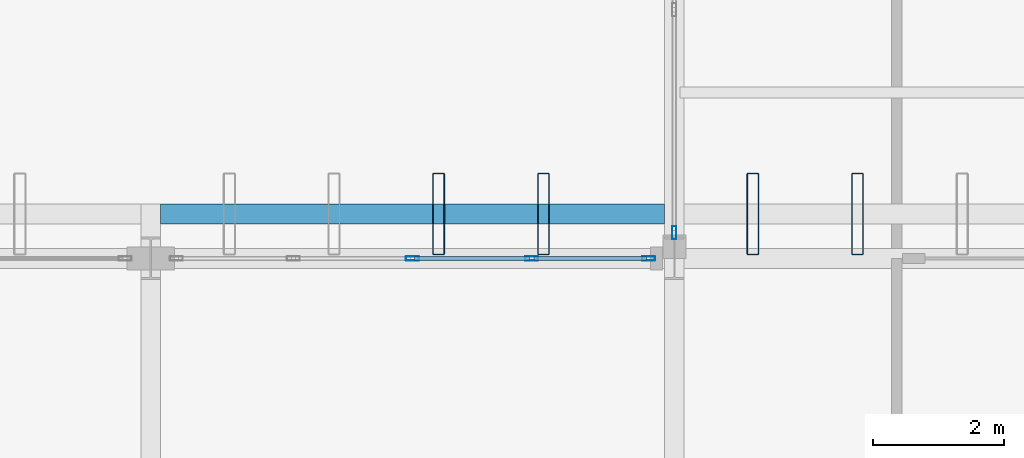
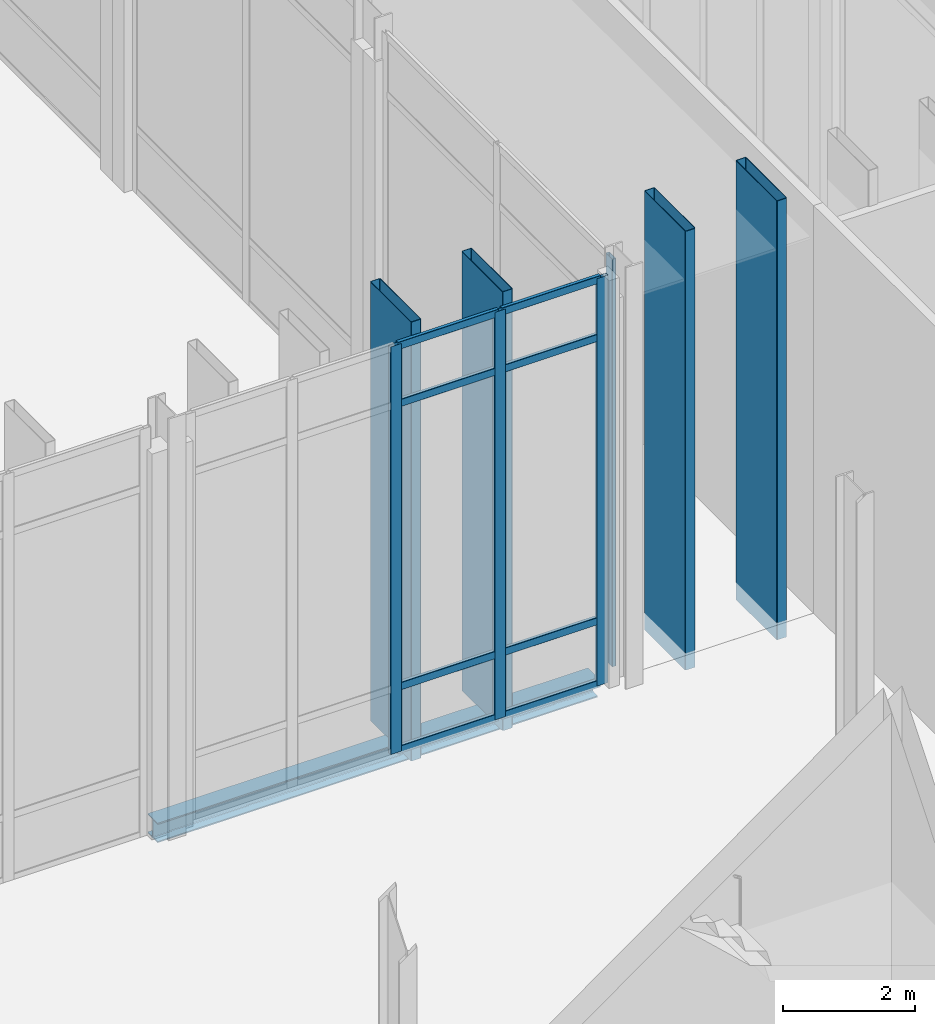
# One storey, part 63 of 176: 16 members, 1 beam, 2 elements without a shape of their own.
"""IFC4 building model written with IfcOpenShell, lengths in metres."""

from ifc_helpers import new_model, si_unit, direction, frame, origin, origin_2d, place, context, subcontext, project, spatial, hollow_rectangle, i_section, extrude, material, layer, layer_set, material_profile, profile_set, type_object, element, aggregate, save


model = new_model("IFC4")

# Units and contexts
model_context = context("Model", 3, precision=1e-05, world=origin(), true_north=direction((0.0, 1.0)))
body_context = subcontext(model_context, "Body", "Model", "MODEL_VIEW")
ifc_project = project(units=[si_unit("LENGTHUNIT", "METRE"), si_unit("AREAUNIT", "SQUARE_METRE"), si_unit("VOLUMEUNIT", "CUBIC_METRE"), si_unit("PLANEANGLEUNIT", "RADIAN"), si_unit("MASSUNIT", "GRAM", prefix="KILO")], contexts=[model_context])

# Site, building, storey
site_placement = place(None, origin())
site = spatial("IfcSite", under=ifc_project, at=site_placement, CompositionType="ELEMENT")
building_placement = place(site_placement, origin())
building = spatial("IfcBuilding", under=site, at=building_placement, Name="Vekula Escarpment Museum", CompositionType="ELEMENT")
storey_placement = place(building_placement, origin())
storey = spatial("IfcBuildingStorey", under=building, at=storey_placement, Name="L01", CompositionType="ELEMENT", Elevation=0.0)

# Beam
ifc_material_1 = material(Name="Steel S355", Category="steel")
ifc_material_profile_1 = material_profile(ifc_material_1, i_section(OverallWidth=0.300048828125, OverallDepth=0.360107421875, WebThickness=0.012451171875, FlangeThickness=0.0224609375, FilletRadius=0.027099609375, at=origin_2d()), Name="HEB 360")
ifc_profile_set_1 = profile_set([ifc_material_profile_1], Name="Steel S355")
beam_type = type_object("IfcBeamType", Name="BM-GIRD-HEB360", PredefinedType="BEAM", material=ifc_profile_set_1)
beam_placement = place(storey_placement, frame((86.14990234375, 91.080078125, -0.47998046875), z_axis=(1.0, 0.0, 0.0), x_axis=(0.0, 1.0, 0.0)))
element("IfcBeam", 1, at=beam_placement, inside=storey, type_object=beam_type, Name="Solar Fin Sill Girder 012", PredefinedType="BEAM", context=body_context, shape_type="SweptSolid", body=[
    extrude(i_section(OverallWidth=0.300048828125, OverallDepth=0.360107421875, WebThickness=0.012451171875, FlangeThickness=0.0224609375, FilletRadius=0.027099609375, at=origin_2d()), origin(), (0.0, 0.0, 1.0), 7.7001953125),
])

# Curtain wall, member
ifc_material_2 = material(Name="Aluminium thermally broken framing", Category="aluminium")
ifc_layer_1 = layer(ifc_material_2, 0.179931640625)
ifc_layer_set_1 = layer_set([ifc_layer_1], Name="Aluminium thermally broken framing")
curtain_wall_type_1 = type_object("IfcCurtainWallType", Name="CW-SYS-08", PredefinedType="NOTDEFINED", material=ifc_layer_set_1)
curtain_wall_1_placement = place(storey_placement, origin())
curtain_wall_1 = element("IfcCurtainWall", 2, at=curtain_wall_1_placement, inside=storey, type_object=curtain_wall_type_1, Name="Curtain Wall CW-L01-038", PredefinedType="NOTDEFINED")
ifc_material_3 = material(Name="Aluminium anodized mullion", Category="aluminium")
ifc_material_profile_2 = material_profile(ifc_material_3, hollow_rectangle(XDim=0.06494140625, YDim=0.199951171875, WallThickness=0.00390625, InnerFilletRadius=0.00390625, OuterFilletRadius=0.008056640625, at=origin_2d()), Name="ALU 200x65x4")
ifc_profile_set_2 = profile_set([ifc_material_profile_2], Name="Aluminium anodized mullion")
member_type_1 = type_object("IfcMemberType", Name="CW-MUL-200", PredefinedType="MULLION", material=ifc_profile_set_2)
member_1_placement = place(storey_placement, frame((94.0, 90.79248046875, 0.0), z_axis=(0.0, 0.0, 1.0), x_axis=(1.0, 0.0, 0.0)))
member_1 = element("IfcMember", 3, at=member_1_placement, type_object=member_type_1, Name="CW-08 mullion 3", PredefinedType="MULLION", context=body_context, shape_type="SweptSolid", body=[
    extrude(hollow_rectangle(XDim=0.06494140625, YDim=0.199951171875, WallThickness=0.00390625, InnerFilletRadius=0.00390625, OuterFilletRadius=0.008056640625, at=origin_2d()), origin(), (0.0, 0.0, 1.0), 7.5400390625),
])
aggregate(curtain_wall_1, [member_1])

# Curtain wall, members
ifc_material_4 = material(Name="Aluminium thermally broken framing", Category="aluminium")
ifc_layer_2 = layer(ifc_material_4, 0.14990234375)
ifc_layer_set_2 = layer_set([ifc_layer_2], Name="Aluminium thermally broken framing")
curtain_wall_type_2 = type_object("IfcCurtainWallType", Name="CW-SYS-09", PredefinedType="NOTDEFINED", material=ifc_layer_set_2)
curtain_wall_2_placement = place(storey_placement, origin())
curtain_wall_2 = element("IfcCurtainWall", 4, at=curtain_wall_2_placement, inside=storey, type_object=curtain_wall_type_2, Name="Curtain Wall CW-L01-039", PredefinedType="NOTDEFINED")
member_2_placement = place(storey_placement, frame((93.607421875, 90.39990234375, 0.0), z_axis=(0.0, 0.0, 1.0), x_axis=(0.0, -1.0, 0.0)))
member_2 = element("IfcMember", 5, at=member_2_placement, type_object=member_type_1, Name="CW-09 mullion 1", PredefinedType="MULLION", context=body_context, shape_type="SweptSolid", body=[
    extrude(hollow_rectangle(XDim=0.06494140625, YDim=0.199951171875, WallThickness=0.00390625, InnerFilletRadius=0.00390625, OuterFilletRadius=0.008056640625, at=origin_2d()), origin(), (0.0, 0.0, 1.0), 7.5400390625),
])
member_3_placement = place(storey_placement, frame((91.820068359375, 90.39990234375, 0.0), z_axis=(0.0, 0.0, 1.0), x_axis=(0.0, -1.0, 0.0)))
member_3 = element("IfcMember", 6, at=member_3_placement, type_object=member_type_1, Name="CW-09 mullion 2", PredefinedType="MULLION", context=body_context, shape_type="SweptSolid", body=[
    extrude(hollow_rectangle(XDim=0.06494140625, YDim=0.199951171875, WallThickness=0.00390625, InnerFilletRadius=0.00390625, OuterFilletRadius=0.008056640625, at=origin_2d()), origin(), (0.0, 0.0, 1.0), 7.5400390625),
])
member_4_placement = place(storey_placement, frame((90.0, 90.39990234375, 0.0), z_axis=(0.0, 0.0, 1.0), x_axis=(0.0, -1.0, 0.0)))
member_4 = element("IfcMember", 7, at=member_4_placement, type_object=member_type_1, Name="CW-09 mullion 3", PredefinedType="MULLION", context=body_context, shape_type="SweptSolid", body=[
    extrude(hollow_rectangle(XDim=0.06494140625, YDim=0.199951171875, WallThickness=0.00390625, InnerFilletRadius=0.00390625, OuterFilletRadius=0.008056640625, at=origin_2d()), origin(), (0.0, 0.0, 1.0), 7.5400390625),
])
ifc_material_5 = material(Name="Aluminium anodized transom", Category="aluminium")
ifc_material_profile_3 = material_profile(ifc_material_5, hollow_rectangle(XDim=0.06494140625, YDim=0.139892578125, WallThickness=0.00390625, InnerFilletRadius=0.00390625, OuterFilletRadius=0.008056640625, at=origin_2d()), Name="ALU 140x65x4")
ifc_profile_set_3 = profile_set([ifc_material_profile_3], Name="Aluminium anodized transom")
member_type_2 = type_object("IfcMemberType", Name="CW-TRN-140", PredefinedType="USERDEFINED", material=ifc_profile_set_3)
member_5_placement = place(storey_placement, frame((93.574951171875, 90.39990234375, 0.032470703125), z_axis=(-1.0, 0.0, 0.0), x_axis=(0.0, -1.0, 0.0)))
member_5 = element("IfcMember", 8, at=member_5_placement, type_object=member_type_2, Name="CW-09 transom 1.1", ObjectType="TRANSOM", PredefinedType="USERDEFINED", context=body_context, shape_type="SweptSolid", body=[
    extrude(hollow_rectangle(XDim=0.06494140625, YDim=0.139892578125, WallThickness=0.00390625, InnerFilletRadius=0.00390625, OuterFilletRadius=0.008056640625, at=origin_2d()), origin(), (0.0, 0.0, 1.0), 1.722412109375),
])
member_6_placement = place(storey_placement, frame((93.574951171875, 90.39990234375, 1.199951171875), z_axis=(-1.0, 0.0, 0.0), x_axis=(0.0, -1.0, 0.0)))
member_6 = element("IfcMember", 9, at=member_6_placement, type_object=member_type_2, Name="CW-09 transom 1.2", ObjectType="TRANSOM", PredefinedType="USERDEFINED", context=body_context, shape_type="SweptSolid", body=[
    extrude(hollow_rectangle(XDim=0.06494140625, YDim=0.139892578125, WallThickness=0.00390625, InnerFilletRadius=0.00390625, OuterFilletRadius=0.008056640625, at=origin_2d()), origin(), (0.0, 0.0, 1.0), 1.722412109375),
])
member_7_placement = place(storey_placement, frame((93.574951171875, 90.39990234375, 6.43994140625), z_axis=(-1.0, 0.0, 0.0), x_axis=(0.0, -1.0, 0.0)))
member_7 = element("IfcMember", 10, at=member_7_placement, type_object=member_type_2, Name="CW-09 transom 1.3", ObjectType="TRANSOM", PredefinedType="USERDEFINED", context=body_context, shape_type="SweptSolid", body=[
    extrude(hollow_rectangle(XDim=0.06494140625, YDim=0.139892578125, WallThickness=0.00390625, InnerFilletRadius=0.00390625, OuterFilletRadius=0.008056640625, at=origin_2d()), origin(), (0.0, 0.0, 1.0), 1.722412109375),
])
member_8_placement = place(storey_placement, frame((93.574951171875, 90.39990234375, 7.507568359375), z_axis=(-1.0, 0.0, 0.0), x_axis=(0.0, -1.0, 0.0)))
member_8 = element("IfcMember", 11, at=member_8_placement, type_object=member_type_2, Name="CW-09 transom 1.4", ObjectType="TRANSOM", PredefinedType="USERDEFINED", context=body_context, shape_type="SweptSolid", body=[
    extrude(hollow_rectangle(XDim=0.06494140625, YDim=0.139892578125, WallThickness=0.00390625, InnerFilletRadius=0.00390625, OuterFilletRadius=0.008056640625, at=origin_2d()), origin(), (0.0, 0.0, 1.0), 1.722412109375),
])
member_9_placement = place(storey_placement, frame((91.78759765625, 90.39990234375, 0.032470703125), z_axis=(-1.0, 0.0, 0.0), x_axis=(0.0, -1.0, 0.0)))
member_9 = element("IfcMember", 12, at=member_9_placement, type_object=member_type_2, Name="CW-09 transom 2.1", ObjectType="TRANSOM", PredefinedType="USERDEFINED", context=body_context, shape_type="SweptSolid", body=[
    extrude(hollow_rectangle(XDim=0.06494140625, YDim=0.139892578125, WallThickness=0.00390625, InnerFilletRadius=0.00390625, OuterFilletRadius=0.008056640625, at=origin_2d()), origin(), (0.0, 0.0, 1.0), 1.755126953125),
])
member_10_placement = place(storey_placement, frame((91.78759765625, 90.39990234375, 1.199951171875), z_axis=(-1.0, 0.0, 0.0), x_axis=(0.0, -1.0, 0.0)))
member_10 = element("IfcMember", 13, at=member_10_placement, type_object=member_type_2, Name="CW-09 transom 2.2", ObjectType="TRANSOM", PredefinedType="USERDEFINED", context=body_context, shape_type="SweptSolid", body=[
    extrude(hollow_rectangle(XDim=0.06494140625, YDim=0.139892578125, WallThickness=0.00390625, InnerFilletRadius=0.00390625, OuterFilletRadius=0.008056640625, at=origin_2d()), origin(), (0.0, 0.0, 1.0), 1.755126953125),
])
member_11_placement = place(storey_placement, frame((91.78759765625, 90.39990234375, 6.43994140625), z_axis=(-1.0, 0.0, 0.0), x_axis=(0.0, -1.0, 0.0)))
member_11 = element("IfcMember", 14, at=member_11_placement, type_object=member_type_2, Name="CW-09 transom 2.3", ObjectType="TRANSOM", PredefinedType="USERDEFINED", context=body_context, shape_type="SweptSolid", body=[
    extrude(hollow_rectangle(XDim=0.06494140625, YDim=0.139892578125, WallThickness=0.00390625, InnerFilletRadius=0.00390625, OuterFilletRadius=0.008056640625, at=origin_2d()), origin(), (0.0, 0.0, 1.0), 1.755126953125),
])
member_12_placement = place(storey_placement, frame((91.78759765625, 90.39990234375, 7.507568359375), z_axis=(-1.0, 0.0, 0.0), x_axis=(0.0, -1.0, 0.0)))
member_12 = element("IfcMember", 15, at=member_12_placement, type_object=member_type_2, Name="CW-09 transom 2.4", ObjectType="TRANSOM", PredefinedType="USERDEFINED", context=body_context, shape_type="SweptSolid", body=[
    extrude(hollow_rectangle(XDim=0.06494140625, YDim=0.139892578125, WallThickness=0.00390625, InnerFilletRadius=0.00390625, OuterFilletRadius=0.008056640625, at=origin_2d()), origin(), (0.0, 0.0, 1.0), 1.755126953125),
])
aggregate(curtain_wall_2, [member_2, member_3, member_4, member_5, member_6, member_7, member_8, member_9, member_10, member_11, member_12])

# Members
ifc_material_6 = material(Name="Steel S355 weathered bronze solar fin", Category="steel")
ifc_material_profile_4 = material_profile(ifc_material_6, hollow_rectangle(XDim=0.179931640625, YDim=1.25, WallThickness=0.010009765625, InnerFilletRadius=0.010009765625, OuterFilletRadius=0.02001953125, at=origin_2d()), Name="RHS 1250x180x10")
ifc_profile_set_4 = profile_set([ifc_material_profile_4], Name="Steel S355 weathered bronze solar fin")
member_type_3 = type_object("IfcMemberType", Name="MB-SOLAR-FIN", PredefinedType="USERDEFINED", material=ifc_profile_set_4)
for number, where, z_axis, x_axis, name in (
    (16, (90.39990234375, 91.080078125, -0.320068359375), (0.0, 0.0, 1.0), (1.0, 0.0, 0.0), "Great Hall Vertical Solar Fin 0186"),
    (17, (92.0, 91.080078125, -0.320068359375), (0.0, 0.0, 1.0), (1.0, 0.0, 0.0), "Great Hall Vertical Solar Fin 0191"),
    (18, (95.199951171875, 91.080078125, -0.320068359375), (0.0, 0.0, 1.0), (1.0, 0.0, 0.0), "Great Hall Vertical Solar Fin 0196"),
    (19, (96.800048828125, 91.080078125, -0.320068359375), (0.0, 0.0, 1.0), (1.0, 0.0, 0.0), "Great Hall Vertical Solar Fin 0201"),
):
    element("IfcMember", number, at=place(storey_placement, frame(where, z_axis=z_axis, x_axis=x_axis)), inside=storey, type_object=member_type_3, Name=name, ObjectType="SOLAR FIN", PredefinedType="USERDEFINED", context=body_context, shape_type="SweptSolid", body=[
        extrude(hollow_rectangle(XDim=0.179931640625, YDim=1.25, WallThickness=0.010009765625, InnerFilletRadius=0.010009765625, OuterFilletRadius=0.02001953125, at=origin_2d()), origin(), (0.0, 0.0, 1.0), 8.1201171875),
    ])

save(model, "model.ifc")
